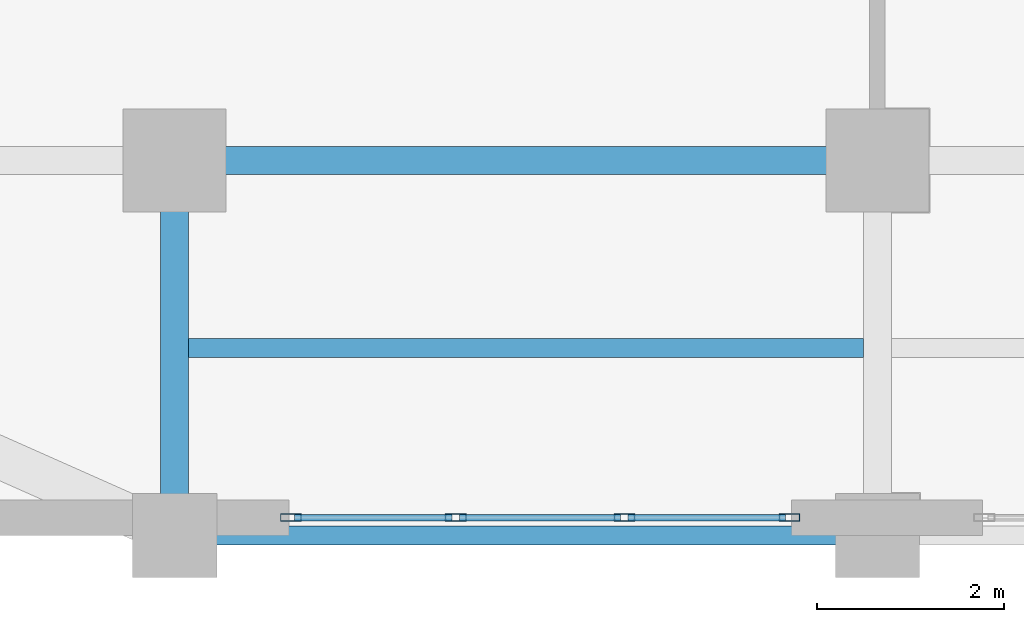
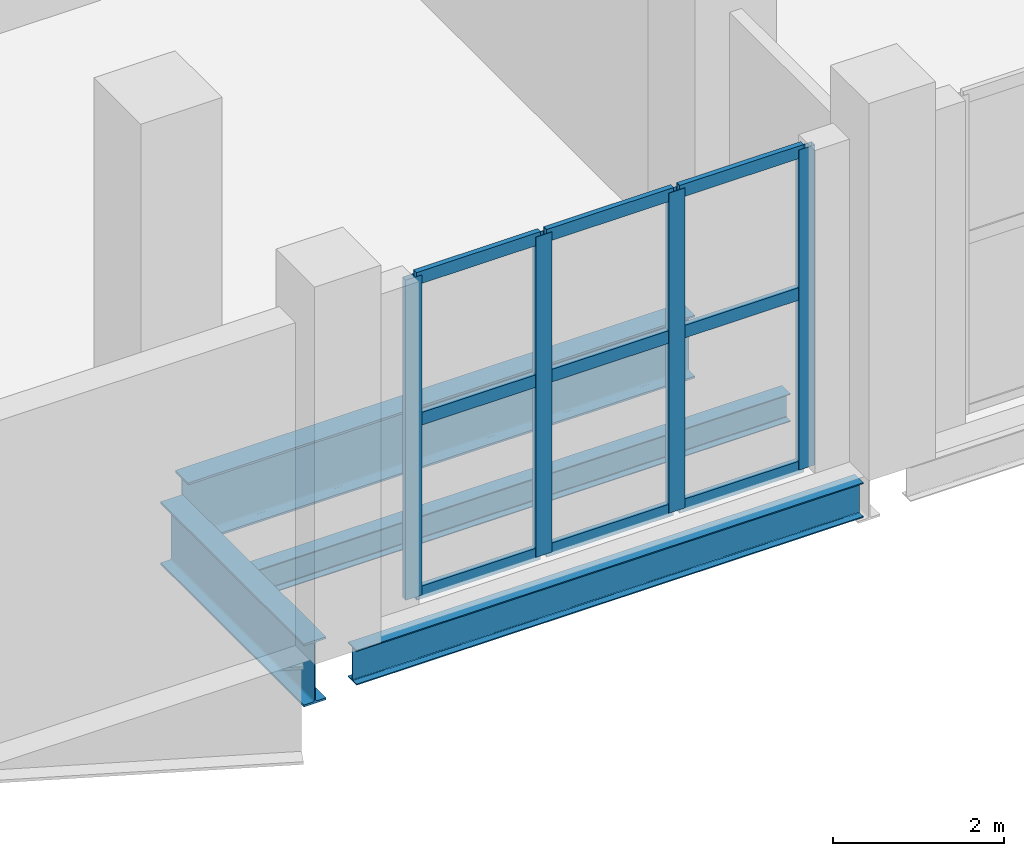
# One storey, part 2 of 18: 13 members, 4 beams, 1 element without a shape of its own.
"""IFC4 building model written with IfcOpenShell, lengths in metres."""

import ifcopenshell
import ifcopenshell.guid

model = None  # the IFC model being written
_history = None  # IfcOwnerHistory: only IFC2X3 demands one
_inside = {}  # id of a spatial element -> (the spatial element, [elements in it])
_under = {}  # id of a project, library or spatial element -> (it, [spatial elements below it])
_declared = {}  # id of a project -> (the project, [libraries it declares])
_typed = {}  # id of a type object -> (the type object, [elements of that type])
_made_of = {}  # id of a material, layer set ... -> (it, [elements and type objects made of it])


def new_model(schema):
    """Start an empty IFC model of exactly this schema.

    Asked for "IFC4X3", IfcOpenShell would pick the latest addendum, in which some entities
    have other attributes; the version numbers below select the first issue.
    IFC2X3 requires an IfcOwnerHistory on every rooted entity: one is made here for all.
    """
    global model, _history
    if schema == "IFC4X3":
        model = ifcopenshell.file(schema_version=(4, 3, 0, 0))
    else:
        model = ifcopenshell.file(schema=schema)
    _inside.clear()
    _under.clear()
    _declared.clear()
    _typed.clear()
    _made_of.clear()
    _history = None
    if model.schema == "IFC2X3":
        org = make("IfcOrganization", Name="unknown")
        user = make(
            "IfcPersonAndOrganization",
            ThePerson=make("IfcPerson", FamilyName="unknown"),
            TheOrganization=org,
        )
        app = make(
            "IfcApplication",
            ApplicationDeveloper=org,
            Version="unknown",
            ApplicationFullName="unknown",
            ApplicationIdentifier="unknown",
        )
        _history = make(
            "IfcOwnerHistory",
            OwningUser=user,
            OwningApplication=app,
            ChangeAction="ADDED",
            CreationDate=0,
        )
    return model


def make(cls, **values):
    """One entity of the class cls with the attributes given. An attribute that is None is left unset."""
    return model.create_entity(
        cls, **{name: value for name, value in values.items() if value is not None}
    )


def rooted(cls, **values):
    """An entity with a GlobalId (a new one), such as an element, a storey or a relation."""
    return make(cls, GlobalId=ifcopenshell.guid.new(), OwnerHistory=_history, **values)


def si_unit(unit_type, name, prefix=None):
    """IfcSIUnit, for example si_unit("LENGTHUNIT", "METRE", prefix="MILLI")."""
    return make("IfcSIUnit", UnitType=unit_type, Prefix=prefix, Name=name)


def assignment(units):
    """IfcUnitAssignment: the units of a project."""
    return None if units is None else make("IfcUnitAssignment", Units=units)


def point(xyz):
    """IfcCartesianPoint."""
    return None if xyz is None else make("IfcCartesianPoint", Coordinates=xyz)


def direction(xyz):
    """IfcDirection."""
    return None if xyz is None else make("IfcDirection", DirectionRatios=xyz)


def frame(location, z_axis=None, x_axis=None):
    """IfcAxis2Placement3D, a coordinate frame: its origin and axes. An axis left out is left unset."""
    return make(
        "IfcAxis2Placement3D",
        Location=point(location),
        Axis=direction(z_axis),
        RefDirection=direction(x_axis),
    )


def frame_2d(location, x_axis=None):
    """IfcAxis2Placement2D, a coordinate frame in the plane: its origin and x axis."""
    return make(
        "IfcAxis2Placement2D", Location=point(location), RefDirection=direction(x_axis)
    )


def origin():
    """The frame at (0, 0, 0) with its axes left unset."""
    return frame((0.0, 0.0, 0.0))


def origin_2d():
    """The frame at (0, 0) in the plane with its x axis left unset."""
    return frame_2d((0.0, 0.0))


def place(relative_to, where):
    """IfcLocalPlacement: puts the frame where relative to a parent placement (None: the world)."""
    return make(
        "IfcLocalPlacement", PlacementRelTo=relative_to, RelativePlacement=where
    )


def context(
    kind, dimensions, precision=None, world=None, true_north=None, identifier=None
):
    """IfcGeometricRepresentationContext, for example the 3D "Model" context."""
    return make(
        "IfcGeometricRepresentationContext",
        ContextIdentifier=identifier,
        ContextType=kind,
        CoordinateSpaceDimension=dimensions,
        Precision=precision,
        WorldCoordinateSystem=world,
        TrueNorth=true_north,
    )


def subcontext(parent, identifier, kind, view, scale=None):
    """IfcGeometricRepresentationSubContext, for example "Body" below "Model"."""
    return make(
        "IfcGeometricRepresentationSubContext",
        ContextIdentifier=identifier,
        ContextType=kind,
        ParentContext=parent,
        TargetScale=scale,
        TargetView=view,
    )


def project(units=None, contexts=None):
    """IfcProject with its units and contexts."""
    return rooted(
        "IfcProject",
        Name="project",
        RepresentationContexts=contexts,
        UnitsInContext=assignment(units),
    )


def spatial(cls, under=None, at=None, **own):
    """A site, building, storey or space (cls), placed at a placement, below another one or the project."""
    s = rooted(cls, ObjectPlacement=at, **own)
    if under is not None:
        _under.setdefault(under.id(), (under, []))[1].append(s)
    return s


def profile(cls, at=None, kind="AREA", **sizes):
    """A parametric profile (cls). Its sizes go by their IFC names, for example OverallWidth=200.0."""
    return make(cls, ProfileType=kind, Position=at, **sizes)


def hollow_rectangle(**sizes):
    """IfcRectangleHollowProfileDef."""
    return profile("IfcRectangleHollowProfileDef", **sizes)


def i_section(**sizes):
    """IfcIShapeProfileDef."""
    return profile("IfcIShapeProfileDef", **sizes)


def extrude(swept, where, along, depth):
    """IfcExtrudedAreaSolid: the profile swept, set in the frame where, extruded along a direction by depth."""
    return make(
        "IfcExtrudedAreaSolid",
        SweptArea=swept,
        Position=where,
        ExtrudedDirection=direction(along),
        Depth=depth,
    )


def shape(context_of_items, identifier, shape_type, items):
    """IfcShapeRepresentation: the items that make up one representation, for example the "Body"."""
    return make(
        "IfcShapeRepresentation",
        ContextOfItems=context_of_items,
        RepresentationIdentifier=identifier,
        RepresentationType=shape_type,
        Items=items,
    )


def material(Name=None, Category=None):
    """IfcMaterial."""
    return make("IfcMaterial", Name=Name, Category=Category)


def layer(
    of_material, thickness, ventilated=None, Name=None, Category=None, Priority=None
):
    """IfcMaterialLayer: one layer of a wall or slab, of a material (None: an air gap)."""
    return make(
        "IfcMaterialLayer",
        Material=of_material,
        LayerThickness=thickness,
        IsVentilated=ventilated,
        Name=Name,
        Category=Category,
        Priority=Priority,
    )


def layer_set(layers, Name=None):
    """IfcMaterialLayerSet."""
    return make("IfcMaterialLayerSet", MaterialLayers=layers, LayerSetName=Name)


def material_profile(
    of_material, cross_section, Name=None, Category=None, Priority=None
):
    """IfcMaterialProfile: a cross section and its material."""
    return make(
        "IfcMaterialProfile",
        Name=Name,
        Material=of_material,
        Profile=cross_section,
        Priority=Priority,
        Category=Category,
    )


def profile_set(profiles, Name=None, composite=None):
    """IfcMaterialProfileSet."""
    return make(
        "IfcMaterialProfileSet",
        Name=Name,
        MaterialProfiles=profiles,
        CompositeProfile=composite,
    )


def made_of(thing, what):
    """Note that an element or type object is made of a material, layer set ...; save() writes the relation."""
    if what is not None:
        _made_of.setdefault(what.id(), (what, []))[1].append(thing)
    return thing


def type_object(cls, material=None, **own):
    """A type object (cls), such as IfcWallType, which elements share."""
    return made_of(rooted(cls, **own), material)


def element(
    cls,
    number,
    at=None,
    inside=None,
    cuts=None,
    type_object=None,
    material=None,
    context=None,
    identifier="Body",
    shape_type=None,
    held_by="IfcProductDefinitionShape",
    body=None,
    shapes=None,
    **own,
):
    """One element of the class cls, such as IfcWall. Its Tag is "e" and its number.

    at: its placement. inside: the storey or other place that contains it. cuts: it is an
    opening in that element (IfcRelVoidsElement). A single representation is given by context,
    identifier, shape_type and body (its items); several are given by shapes. held_by: the class
    of the entity that holds the representations. save() writes the other relations.
    """
    e = rooted(cls, Tag="e%d" % number, ObjectPlacement=at, **own)
    if body is not None:
        shapes = [shape(context, identifier, shape_type, body)]
    if shapes is not None:
        e.Representation = make(held_by, Representations=shapes)
    if inside is not None:
        _inside.setdefault(inside.id(), (inside, []))[1].append(e)
    if cuts is not None:
        rooted(
            "IfcRelVoidsElement", RelatingBuildingElement=cuts, RelatedOpeningElement=e
        )
    if type_object is not None:
        _typed.setdefault(type_object.id(), (type_object, []))[1].append(e)
    return made_of(e, material)


def aggregate(whole, parts):
    """IfcRelAggregates: a whole, such as a stair, and the parts it consists of."""
    return rooted("IfcRelAggregates", RelatingObject=whole, RelatedObjects=parts)


def save(model, path):
    """Write the relations noted so far, then the file.

    IfcRelAggregates (storeys below a building ...), IfcRelContainedInSpatialStructure (elements
    in a storey), IfcRelDefinesByType, IfcRelAssociatesMaterial and IfcRelDeclares: one each for
    every whole, place, type object, material and project.
    """
    for whole, parts in _under.values():
        aggregate(whole, parts)
    for where, things in _inside.values():
        rooted(
            "IfcRelContainedInSpatialStructure",
            RelatedElements=things,
            RelatingStructure=where,
        )
    for kind, things in _typed.values():
        rooted("IfcRelDefinesByType", RelatedObjects=things, RelatingType=kind)
    for what, things in _made_of.values():
        rooted("IfcRelAssociatesMaterial", RelatedObjects=things, RelatingMaterial=what)
    for by, libraries in _declared.values():
        rooted("IfcRelDeclares", RelatingContext=by, RelatedDefinitions=libraries)
    model.write(path)


model = new_model("IFC4")

# Units and contexts
model_context = context("Model", 3, precision=1e-05, world=origin(), true_north=direction((0.0, 1.0)))
body_context = subcontext(model_context, "Body", "Model", "MODEL_VIEW")
ifc_project = project(units=[si_unit("LENGTHUNIT", "METRE"), si_unit("AREAUNIT", "SQUARE_METRE"), si_unit("VOLUMEUNIT", "CUBIC_METRE"), si_unit("PLANEANGLEUNIT", "RADIAN"), si_unit("MASSUNIT", "GRAM", prefix="KILO")], contexts=[model_context])

# Site, building, storey
site_placement = place(None, origin())
site = spatial("IfcSite", under=ifc_project, at=site_placement, CompositionType="ELEMENT")
building_placement = place(site_placement, origin())
building = spatial("IfcBuilding", under=site, at=building_placement, Name="Qianrong Seaharbour Tower", CompositionType="ELEMENT")
storey_placement = place(building_placement, frame((0.0, 0.0, 6.0)))
storey = spatial("IfcBuildingStorey", under=building, at=storey_placement, Name="L02", CompositionType="ELEMENT", Elevation=6.0)

# Beams
ifc_material_1 = material(Name="Structural steel SN490B", Category="steel")
ifc_material_profile_1 = material_profile(ifc_material_1, i_section(OverallWidth=0.300048828125, OverallDepth=0.89990234375, WebThickness=0.01611328125, FlangeThickness=0.028076171875, FilletRadius=0.028076171875, at=origin_2d()), Name="H900x300x16x28")
ifc_profile_set_1 = profile_set([ifc_material_profile_1], Name="Structural steel SN490B")
beam_type_1 = type_object("IfcBeamType", Name="BM-G-900", PredefinedType="BEAM", material=ifc_profile_set_1)
beam_1_placement = place(storey_placement, frame((9.320068359375, 4.0, -0.72998046875), z_axis=(1.0, 0.0, 0.0), x_axis=(0.0, 1.0, 0.0)))
element("IfcBeam", 1, at=beam_1_placement, inside=storey, type_object=beam_type_1, Name="L02 Primary Girder GB G2-G3", PredefinedType="BEAM", context=body_context, shape_type="SweptSolid", body=[
    extrude(i_section(OverallWidth=0.300048828125, OverallDepth=0.89990234375, WebThickness=0.01611328125, FlangeThickness=0.028076171875, FilletRadius=0.028076171875, at=origin_2d()), origin(), (0.0, 0.0, 1.0), 6.85986328125),
])
beam_2_placement = place(storey_placement, frame((9.0, 0.320068359375, -0.72998046875), z_axis=(0.0, 1.0, 0.0), x_axis=(-1.0, 0.0, 0.0)))
element("IfcBeam", 2, at=beam_2_placement, inside=storey, type_object=beam_type_1, Name="L02 Primary Girder G2 GA-GB", PredefinedType="BEAM", context=body_context, shape_type="SweptSolid", body=[
    extrude(i_section(OverallWidth=0.300048828125, OverallDepth=0.89990234375, WebThickness=0.01611328125, FlangeThickness=0.028076171875, FilletRadius=0.028076171875, at=origin_2d()), origin(), (0.0, 0.0, 1.0), 3.35986328125),
])
ifc_material_2 = material(Name="Structural steel SN400B", Category="steel")
ifc_material_profile_2 = material_profile(ifc_material_2, i_section(OverallWidth=0.199951171875, OverallDepth=0.39990234375, WebThickness=0.008056640625, FlangeThickness=0.012939453125, FilletRadius=0.01611328125, at=origin_2d()), Name="H400x200x8x13")
ifc_profile_set_2 = profile_set([ifc_material_profile_2], Name="Structural steel SN400B")
beam_type_2 = type_object("IfcBeamType", Name="BM-J-400", PredefinedType="JOIST", material=ifc_profile_set_2)
beam_3_placement = place(storey_placement, frame((9.14990234375, 2.0, -0.47998046875), z_axis=(1.0, 0.0, 0.0), x_axis=(0.0, 1.0, 0.0)))
element("IfcBeam", 3, at=beam_3_placement, inside=storey, type_object=beam_type_2, Name="L02 Composite Floor Joist G2-G3/GA-GB", PredefinedType="JOIST", context=body_context, shape_type="SweptSolid", body=[
    extrude(i_section(OverallWidth=0.199951171875, OverallDepth=0.39990234375, WebThickness=0.008056640625, FlangeThickness=0.012939453125, FilletRadius=0.01611328125, at=origin_2d()), origin(), (0.0, 0.0, 1.0), 7.2001953125),
])
ifc_material_profile_3 = material_profile(ifc_material_1, i_section(OverallWidth=0.199951171875, OverallDepth=0.5, WebThickness=0.010009765625, FlangeThickness=0.01611328125, FilletRadius=0.02001953125, at=origin_2d()), Name="H500x200x10x16")
ifc_profile_set_3 = profile_set([ifc_material_profile_3], Name="Structural steel SN490B")
beam_type_3 = type_object("IfcBeamType", Name="BM-SP-500", PredefinedType="SPANDREL", material=ifc_profile_set_3)
beam_4_placement = place(storey_placement, frame((9.320068359375, 0.0, -0.530029296875), z_axis=(1.0, 0.0, 0.0), x_axis=(0.0, 1.0, 0.0)))
element("IfcBeam", 4, at=beam_4_placement, inside=storey, type_object=beam_type_3, Name="L02 Spandrel Girder GA G2-G3", PredefinedType="SPANDREL", context=body_context, shape_type="SweptSolid", body=[
    extrude(i_section(OverallWidth=0.199951171875, OverallDepth=0.5, WebThickness=0.010009765625, FlangeThickness=0.01611328125, FilletRadius=0.02001953125, at=origin_2d()), origin(), (0.0, 0.0, 1.0), 6.85986328125),
])

# Curtain wall, members
ifc_material_3 = material(Name="Anodised aluminium 6063-T6 and laminated low-e glass", Category="aluminium")
ifc_layer = layer(ifc_material_3, 0.219970703125)
ifc_layer_set = layer_set([ifc_layer], Name="Anodised aluminium 6063-T6 and laminated low-e glass")
curtain_wall_type = type_object("IfcCurtainWallType", Name="CW-SYS-1", PredefinedType="NOTDEFINED", material=ifc_layer_set)
curtain_wall_placement = place(storey_placement, origin())
curtain_wall = element("IfcCurtainWall", 5, at=curtain_wall_placement, inside=storey, type_object=curtain_wall_type, Name="L02 Waterfront Colonnade Curtain Wall Bay 1", PredefinedType="NOTDEFINED")
ifc_material_4 = material(Name="Extruded aluminium 6063-T6", Category="aluminium")
ifc_material_profile_4 = material_profile(ifc_material_4, hollow_rectangle(XDim=0.080078125, YDim=0.219970703125, WallThickness=0.0048828125, at=origin_2d()), Name="ALU-MUL-220x80x5")
ifc_profile_set_4 = profile_set([ifc_material_profile_4], Name="Extruded aluminium 6063-T6")
member_type_1 = type_object("IfcMemberType", Name="CW-MUL-220", PredefinedType="MULLION", material=ifc_profile_set_4)
member_1_placement = place(storey_placement, frame((15.56005859375, 0.18994140625, 0.0), z_axis=(0.0, 0.0, 1.0), x_axis=(0.0, -1.0, 0.0)))
member_1 = element("IfcMember", 6, at=member_1_placement, type_object=member_type_1, Name="CW-1 mullion 1", PredefinedType="MULLION", context=body_context, shape_type="SweptSolid", body=[
    extrude(hollow_rectangle(XDim=0.080078125, YDim=0.219970703125, WallThickness=0.0048828125, at=origin_2d()), origin(), (0.0, 0.0, 1.0), 4.580078125),
])
member_2_placement = place(storey_placement, frame((13.800048828125, 0.18994140625, 0.0), z_axis=(0.0, 0.0, 1.0), x_axis=(0.0, -1.0, 0.0)))
member_2 = element("IfcMember", 7, at=member_2_placement, type_object=member_type_1, Name="CW-1 mullion 2", PredefinedType="MULLION", context=body_context, shape_type="SweptSolid", body=[
    extrude(hollow_rectangle(XDim=0.080078125, YDim=0.219970703125, WallThickness=0.0048828125, at=origin_2d()), origin(), (0.0, 0.0, 1.0), 4.580078125),
])
member_3_placement = place(storey_placement, frame((12.0, 0.18994140625, 0.0), z_axis=(0.0, 0.0, 1.0), x_axis=(0.0, -1.0, 0.0)))
member_3 = element("IfcMember", 8, at=member_3_placement, type_object=member_type_1, Name="CW-1 mullion 3", PredefinedType="MULLION", context=body_context, shape_type="SweptSolid", body=[
    extrude(hollow_rectangle(XDim=0.080078125, YDim=0.219970703125, WallThickness=0.0048828125, at=origin_2d()), origin(), (0.0, 0.0, 1.0), 4.580078125),
])
member_4_placement = place(storey_placement, frame((10.239990234375, 0.18994140625, 0.0), z_axis=(0.0, 0.0, 1.0), x_axis=(0.0, -1.0, 0.0)))
member_4 = element("IfcMember", 9, at=member_4_placement, type_object=member_type_1, Name="CW-1 mullion 4", PredefinedType="MULLION", context=body_context, shape_type="SweptSolid", body=[
    extrude(hollow_rectangle(XDim=0.080078125, YDim=0.219970703125, WallThickness=0.0048828125, at=origin_2d()), origin(), (0.0, 0.0, 1.0), 4.580078125),
])
ifc_material_profile_5 = material_profile(ifc_material_4, hollow_rectangle(XDim=0.070068359375, YDim=0.179931640625, WallThickness=0.00390625, at=origin_2d()), Name="ALU-TRN-180x70x4")
ifc_profile_set_5 = profile_set([ifc_material_profile_5], Name="Extruded aluminium 6063-T6")
member_type_2 = type_object("IfcMemberType", Name="CW-TRN-180", PredefinedType="USERDEFINED", material=ifc_profile_set_5)
member_5_placement = place(storey_placement, frame((15.52001953125, 0.18994140625, 0.034912109375), z_axis=(-1.0, 0.0, 0.0), x_axis=(0.0, -1.0, 0.0)))
member_5 = element("IfcMember", 10, at=member_5_placement, type_object=member_type_2, Name="CW-1 transom 1.1", ObjectType="TRANSOM", PredefinedType="USERDEFINED", context=body_context, shape_type="SweptSolid", body=[
    extrude(hollow_rectangle(XDim=0.070068359375, YDim=0.179931640625, WallThickness=0.00390625, at=origin_2d()), origin(), (0.0, 0.0, 1.0), 1.679931640625),
])
member_6_placement = place(storey_placement, frame((15.52001953125, 0.18994140625, 2.51904296875), z_axis=(-1.0, 0.0, 0.0), x_axis=(0.0, -1.0, 0.0)))
member_6 = element("IfcMember", 11, at=member_6_placement, type_object=member_type_2, Name="CW-1 transom 1.2", ObjectType="TRANSOM", PredefinedType="USERDEFINED", context=body_context, shape_type="SweptSolid", body=[
    extrude(hollow_rectangle(XDim=0.070068359375, YDim=0.179931640625, WallThickness=0.00390625, at=origin_2d()), origin(), (0.0, 0.0, 1.0), 1.679931640625),
])
member_7_placement = place(storey_placement, frame((15.52001953125, 0.18994140625, 4.544921875), z_axis=(-1.0, 0.0, 0.0), x_axis=(0.0, -1.0, 0.0)))
member_7 = element("IfcMember", 12, at=member_7_placement, type_object=member_type_2, Name="CW-1 transom 1.3", ObjectType="TRANSOM", PredefinedType="USERDEFINED", context=body_context, shape_type="SweptSolid", body=[
    extrude(hollow_rectangle(XDim=0.070068359375, YDim=0.179931640625, WallThickness=0.00390625, at=origin_2d()), origin(), (0.0, 0.0, 1.0), 1.679931640625),
])
member_8_placement = place(storey_placement, frame((13.760009765625, 0.18994140625, 0.034912109375), z_axis=(-1.0, 0.0, 0.0), x_axis=(0.0, -1.0, 0.0)))
member_8 = element("IfcMember", 13, at=member_8_placement, type_object=member_type_2, Name="CW-1 transom 2.1", ObjectType="TRANSOM", PredefinedType="USERDEFINED", context=body_context, shape_type="SweptSolid", body=[
    extrude(hollow_rectangle(XDim=0.070068359375, YDim=0.179931640625, WallThickness=0.00390625, at=origin_2d()), origin(), (0.0, 0.0, 1.0), 1.719970703125),
])
member_9_placement = place(storey_placement, frame((13.760009765625, 0.18994140625, 2.51904296875), z_axis=(-1.0, 0.0, 0.0), x_axis=(0.0, -1.0, 0.0)))
member_9 = element("IfcMember", 14, at=member_9_placement, type_object=member_type_2, Name="CW-1 transom 2.2", ObjectType="TRANSOM", PredefinedType="USERDEFINED", context=body_context, shape_type="SweptSolid", body=[
    extrude(hollow_rectangle(XDim=0.070068359375, YDim=0.179931640625, WallThickness=0.00390625, at=origin_2d()), origin(), (0.0, 0.0, 1.0), 1.719970703125),
])
member_10_placement = place(storey_placement, frame((13.760009765625, 0.18994140625, 4.544921875), z_axis=(-1.0, 0.0, 0.0), x_axis=(0.0, -1.0, 0.0)))
member_10 = element("IfcMember", 15, at=member_10_placement, type_object=member_type_2, Name="CW-1 transom 2.3", ObjectType="TRANSOM", PredefinedType="USERDEFINED", context=body_context, shape_type="SweptSolid", body=[
    extrude(hollow_rectangle(XDim=0.070068359375, YDim=0.179931640625, WallThickness=0.00390625, at=origin_2d()), origin(), (0.0, 0.0, 1.0), 1.719970703125),
])
member_11_placement = place(storey_placement, frame((11.9599609375, 0.18994140625, 0.034912109375), z_axis=(-1.0, 0.0, 0.0), x_axis=(0.0, -1.0, 0.0)))
member_11 = element("IfcMember", 16, at=member_11_placement, type_object=member_type_2, Name="CW-1 transom 3.1", ObjectType="TRANSOM", PredefinedType="USERDEFINED", context=body_context, shape_type="SweptSolid", body=[
    extrude(hollow_rectangle(XDim=0.070068359375, YDim=0.179931640625, WallThickness=0.00390625, at=origin_2d()), origin(), (0.0, 0.0, 1.0), 1.679931640625),
])
member_12_placement = place(storey_placement, frame((11.9599609375, 0.18994140625, 2.51904296875), z_axis=(-1.0, 0.0, 0.0), x_axis=(0.0, -1.0, 0.0)))
member_12 = element("IfcMember", 17, at=member_12_placement, type_object=member_type_2, Name="CW-1 transom 3.2", ObjectType="TRANSOM", PredefinedType="USERDEFINED", context=body_context, shape_type="SweptSolid", body=[
    extrude(hollow_rectangle(XDim=0.070068359375, YDim=0.179931640625, WallThickness=0.00390625, at=origin_2d()), origin(), (0.0, 0.0, 1.0), 1.679931640625),
])
member_13_placement = place(storey_placement, frame((11.9599609375, 0.18994140625, 4.544921875), z_axis=(-1.0, 0.0, 0.0), x_axis=(0.0, -1.0, 0.0)))
member_13 = element("IfcMember", 18, at=member_13_placement, type_object=member_type_2, Name="CW-1 transom 3.3", ObjectType="TRANSOM", PredefinedType="USERDEFINED", context=body_context, shape_type="SweptSolid", body=[
    extrude(hollow_rectangle(XDim=0.070068359375, YDim=0.179931640625, WallThickness=0.00390625, at=origin_2d()), origin(), (0.0, 0.0, 1.0), 1.679931640625),
])
aggregate(curtain_wall, [member_1, member_2, member_3, member_4, member_5, member_6, member_7, member_8, member_9, member_10, member_11, member_12, member_13])

save(model, "model.ifc")
